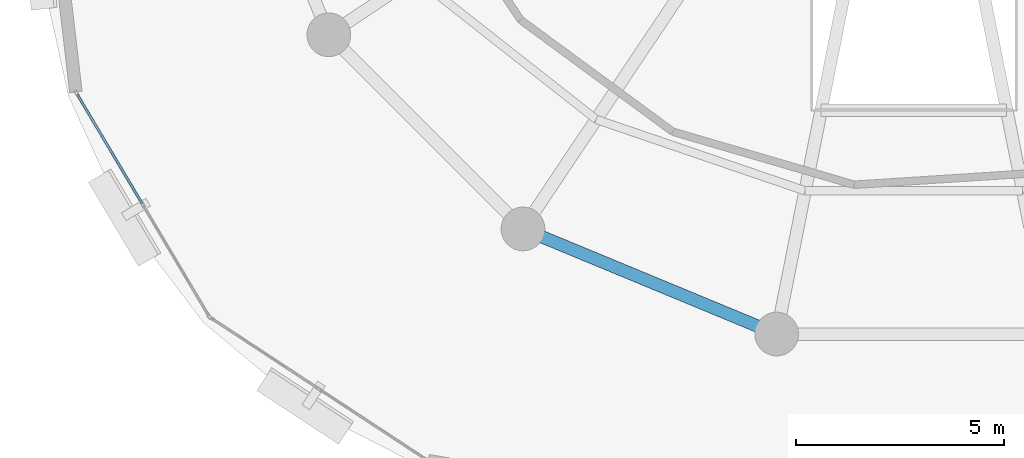
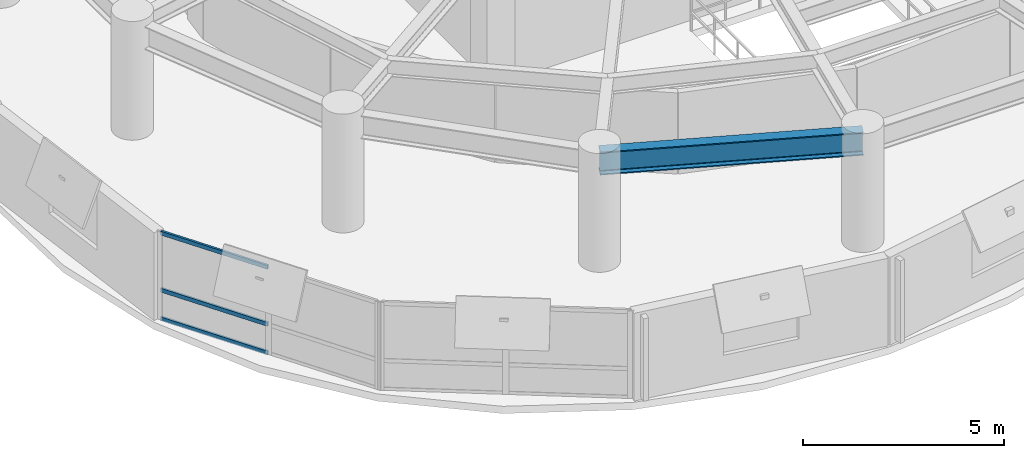
# One storey, part 3 of 12: 3 members, 1 beam, 1 element without a shape of its own.
"""IFC4 building model written with IfcOpenShell, lengths in metres."""

from ifc_helpers import new_model, si_unit, direction, frame, origin, origin_2d, place, context, subcontext, project, spatial, hollow_rectangle, i_section, extrude, material, layer, layer_set, material_profile, profile_set, type_object, element, aggregate, save


model = new_model("IFC4")

# Units and contexts
model_context = context("Model", 3, precision=1e-05, world=origin(), true_north=direction((0.0, 1.0)))
body_context = subcontext(model_context, "Body", "Model", "MODEL_VIEW")
ifc_project = project(units=[si_unit("LENGTHUNIT", "METRE"), si_unit("AREAUNIT", "SQUARE_METRE"), si_unit("VOLUMEUNIT", "CUBIC_METRE"), si_unit("PLANEANGLEUNIT", "RADIAN"), si_unit("MASSUNIT", "GRAM", prefix="KILO"), si_unit("THERMODYNAMICTEMPERATUREUNIT", "KELVIN"), si_unit("POWERUNIT", "WATT")], contexts=[model_context])

# Site, building, storey
site_placement = place(None, origin())
site = spatial("IfcSite", under=ifc_project, at=site_placement, CompositionType="ELEMENT")
building_placement = place(site_placement, origin())
building = spatial("IfcBuilding", under=site, at=building_placement, Name="Ocrelia Relay Tower", CompositionType="ELEMENT")
storey_placement = place(building_placement, frame((0.0, 0.0, 213.199951171875)))
storey = spatial("IfcBuildingStorey", under=building, at=storey_placement, Name="L52", CompositionType="ELEMENT", Elevation=213.199951171875)

# Beam
ifc_material_1 = material(Name="Steel S355", Category="steel")
ifc_material_profile_1 = material_profile(ifc_material_1, i_section(OverallWidth=0.300048828125, OverallDepth=0.699951171875, WebThickness=0.01708984375, FlangeThickness=0.031982421875, FilletRadius=0.027099609375, at=origin_2d()), Name="HEB 700")
ifc_profile_set_1 = profile_set([ifc_material_profile_1], Name="Steel S355")
beam_type = type_object("IfcBeamType", Name="BM-HEB700", PredefinedType="BEAM", material=ifc_profile_set_1)
beam_placement = place(storey_placement, frame((24.61083984375, 11.9482421875, 3.030029296875), z_axis=(0.923877844151, -0.382687508402, 0.0), x_axis=(0.382687508402, 0.923877844151, 0.0)))
element("IfcBeam", 1, at=beam_placement, inside=storey, type_object=beam_type, Name="L52 Perimeter Spandrel Beam S11", PredefinedType="BEAM", context=body_context, shape_type="SweptSolid", body=[
    extrude(i_section(OverallWidth=0.300048828125, OverallDepth=0.699951171875, WebThickness=0.01708984375, FlangeThickness=0.031982421875, FilletRadius=0.027099609375, at=origin_2d()), origin(), (0.0, 0.0, 1.0), 6.593994140625),
])

# Curtain wall, members
ifc_material_2 = material(Name="Aluminium and solar-control low-E glass", Category="aluminium")
ifc_layer = layer(ifc_material_2, 0.179931640625, Name="Aluminium and solar-control low-E glass")
ifc_layer_set = layer_set([ifc_layer], Name="Aluminium and solar-control low-E glass")
curtain_wall_type = type_object("IfcCurtainWallType", Name="CW-SYS-Z3-CLOU", PredefinedType="NOTDEFINED", material=ifc_layer_set)
curtain_wall_placement = place(storey_placement, origin())
curtain_wall = element("IfcCurtainWall", 2, at=curtain_wall_placement, inside=storey, type_object=curtain_wall_type, Name="L52 Elliptical Tower Curtain Wall Bay 09", PredefinedType="NOTDEFINED")
ifc_material_3 = material(Name="Anodised bronze aluminium", Category="aluminium")
ifc_material_profile_2 = material_profile(ifc_material_3, hollow_rectangle(XDim=0.06005859375, YDim=0.1201171875, WallThickness=0.0048828125, at=origin_2d()), Name="CW-TRN-120x60")
ifc_profile_set_2 = profile_set([ifc_material_profile_2], Name="Anodised bronze aluminium")
member_type = type_object("IfcMemberType", Name="CW-SYS-Z3-CLOU-TRN", PredefinedType="USERDEFINED", material=ifc_profile_set_2)
member_1_placement = place(storey_placement, frame((13.90625, 15.178466796875, 0.030029296875), z_axis=(0.510846350528, -0.859672034064, 0.0), x_axis=(0.859672034064, 0.510846350528, 0.0)))
member_1 = element("IfcMember", 3, at=member_1_placement, type_object=member_type, Name="CW-Z3 transom 1.1", ObjectType="TRANSOM", PredefinedType="USERDEFINED", context=body_context, shape_type="SweptSolid", body=[
    extrude(hollow_rectangle(XDim=0.06005859375, YDim=0.1201171875, WallThickness=0.0048828125, at=origin_2d()), origin(), (0.0, 0.0, 1.0), 3.0439453125),
])
member_2_placement = place(storey_placement, frame((13.90625, 15.178466796875, 0.900146484375), z_axis=(0.510846350528, -0.859672034064, 0.0), x_axis=(0.859672034064, 0.510846350528, 0.0)))
member_2 = element("IfcMember", 4, at=member_2_placement, type_object=member_type, Name="CW-Z3 transom 1.2", ObjectType="TRANSOM", PredefinedType="USERDEFINED", context=body_context, shape_type="SweptSolid", body=[
    extrude(hollow_rectangle(XDim=0.06005859375, YDim=0.1201171875, WallThickness=0.0048828125, at=origin_2d()), origin(), (0.0, 0.0, 1.0), 3.0439453125),
])
member_3_placement = place(storey_placement, frame((13.90625, 15.178466796875, 2.630126953125), z_axis=(0.510846350528, -0.859672034064, 0.0), x_axis=(0.859672034064, 0.510846350528, 0.0)))
member_3 = element("IfcMember", 5, at=member_3_placement, type_object=member_type, Name="CW-Z3 transom 1.3", ObjectType="TRANSOM", PredefinedType="USERDEFINED", context=body_context, shape_type="SweptSolid", body=[
    extrude(hollow_rectangle(XDim=0.06005859375, YDim=0.1201171875, WallThickness=0.0048828125, at=origin_2d()), origin(), (0.0, 0.0, 1.0), 3.0439453125),
])
aggregate(curtain_wall, [member_1, member_2, member_3])

save(model, "model.ifc")
